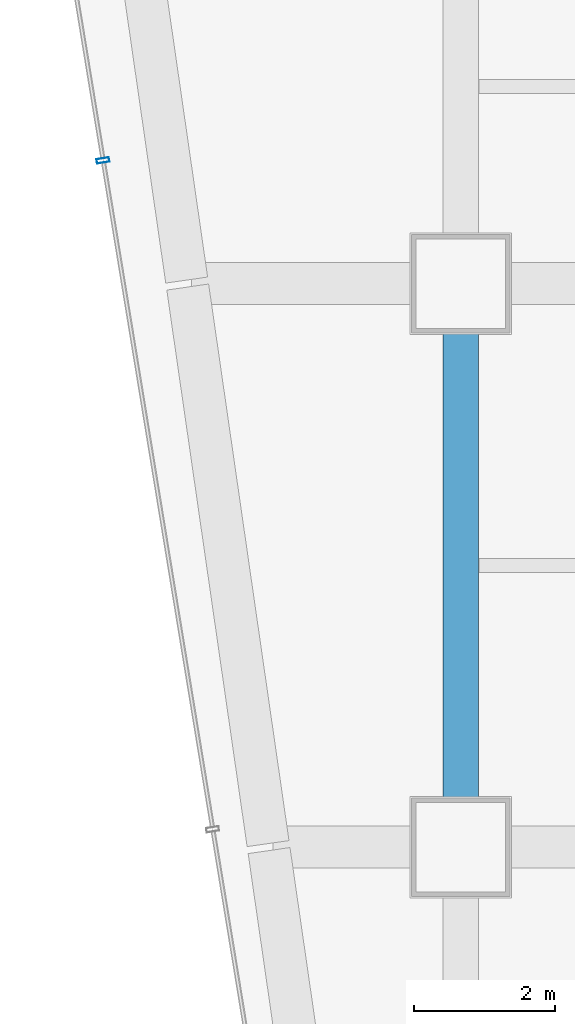
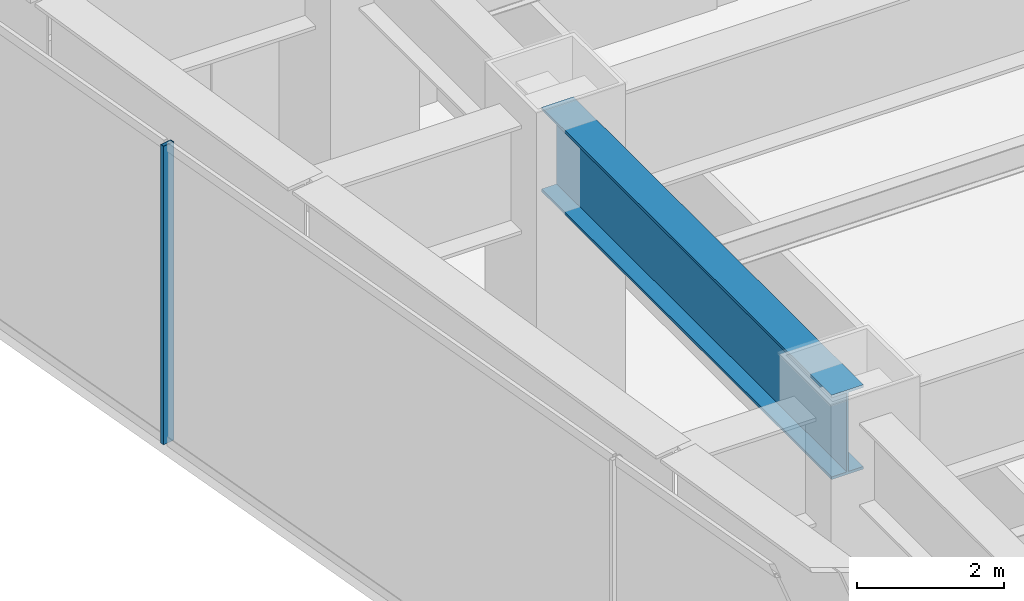
# One storey, part 13 of 42: 1 beam, 1 member, 1 element without a shape of its own.
"""IFC4 building model written with IfcOpenShell, lengths in metres."""

from ifc_helpers import new_model, si_unit, direction, frame, origin, origin_2d, place, context, subcontext, project, spatial, hollow_rectangle, i_section, extrude, material, material_profile, profile_set, type_object, element, aggregate, save


model = new_model("IFC4")

# Units and contexts
model_context = context("Model", 3, precision=1e-05, world=origin(), true_north=direction((0.0, 1.0)))
body_context = subcontext(model_context, "Body", "Model", "MODEL_VIEW")
ifc_project = project(units=[si_unit("LENGTHUNIT", "METRE"), si_unit("AREAUNIT", "SQUARE_METRE"), si_unit("VOLUMEUNIT", "CUBIC_METRE"), si_unit("PLANEANGLEUNIT", "RADIAN"), si_unit("MASSUNIT", "GRAM", prefix="KILO")], contexts=[model_context])

# Site, building, storey
site_placement = place(None, origin())
site = spatial("IfcSite", under=ifc_project, at=site_placement, CompositionType="ELEMENT")
building_placement = place(site_placement, origin())
building = spatial("IfcBuilding", under=site, at=building_placement, Name="Saevonmaru Cultural Tower", CompositionType="ELEMENT")
storey_placement = place(building_placement, frame((0.0, 0.0, 33.0)))
storey = spatial("IfcBuildingStorey", under=building, at=storey_placement, Name="L06", CompositionType="ELEMENT", Elevation=33.0)

# Beam
ifc_material_1 = material(Name="Steel HSA600 (600 MPa)", Category="steel")
ifc_material_profile_1 = material_profile(ifc_material_1, i_section(OverallWidth=0.5, OverallDepth=1.39990234375, WebThickness=0.02392578125, FlangeThickness=0.044921875, at=origin_2d()), Name="PG-1400x500x24x45")
ifc_profile_set_1 = profile_set([ifc_material_profile_1], Name="Steel HSA600 (600 MPa)")
beam_type = type_object("IfcBeamType", Name="BM-TG-PG1400", PredefinedType="BEAM", material=ifc_profile_set_1)
beam_placement = place(storey_placement, frame((12.199951171875, 24.06005859375, 4.25), z_axis=(0.0, 1.0, 0.0), x_axis=(-1.0, 0.0, 0.0)))
element("IfcBeam", 1, at=beam_placement, inside=storey, type_object=beam_type, Name="L06 Podium Girder NS1-4", PredefinedType="BEAM", context=body_context, shape_type="SweptSolid", body=[
    extrude(i_section(OverallWidth=0.5, OverallDepth=1.39990234375, WebThickness=0.02392578125, FlangeThickness=0.044921875, at=origin_2d()), origin(), (0.0, 0.0, 1.0), 7.8798828125),
])

# Curtain wall, member
ifc_material_2 = material(Name="Satin Bronze Anodised Aluminium", Category="aluminium")
curtain_wall_type = type_object("IfcCurtainWallType", Name="CW-SKY-GLZ", PredefinedType="NOTDEFINED", material=ifc_material_2)
curtain_wall_placement = place(storey_placement, origin())
curtain_wall = element("IfcCurtainWall", 2, at=curtain_wall_placement, inside=storey, type_object=curtain_wall_type, Name="L06 Unitised Curtain Wall E12", PredefinedType="NOTDEFINED")
ifc_material_profile_2 = material_profile(ifc_material_2, hollow_rectangle(XDim=0.06494140625, YDim=0.179931640625, WallThickness=0.00390625, at=origin_2d()), Name="ALU-MULL-180x65x4")
ifc_profile_set_2 = profile_set([ifc_material_profile_2], Name="Satin Bronze Anodised Aluminium")
member_type = type_object("IfcMemberType", Name="ML-CW-180x65", PredefinedType="MULLION", material=ifc_profile_set_2)
member_placement = place(storey_placement, frame((7.121826171875, 33.748046875, 0.0), z_axis=(0.0, 0.0, 1.0), x_axis=(0.161708868641, -0.986838508472, 0.0)))
member = element("IfcMember", 3, at=member_placement, type_object=member_type, Name="CW-TW-L06-E12 mullion 3", PredefinedType="MULLION", context=body_context, shape_type="SweptSolid", body=[
    extrude(hollow_rectangle(XDim=0.06494140625, YDim=0.179931640625, WallThickness=0.00390625, at=origin_2d()), origin(), (0.0, 0.0, 1.0), 4.949951171875),
])
aggregate(curtain_wall, [member])

save(model, "model.ifc")
